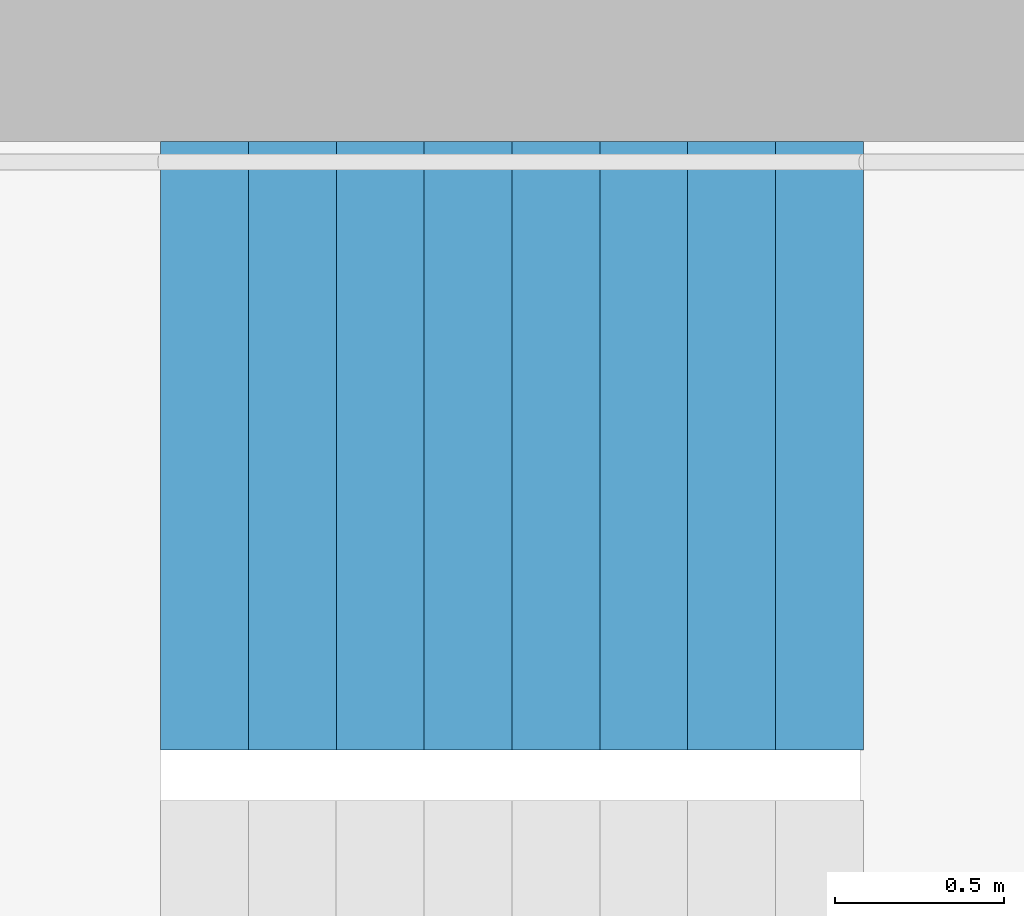
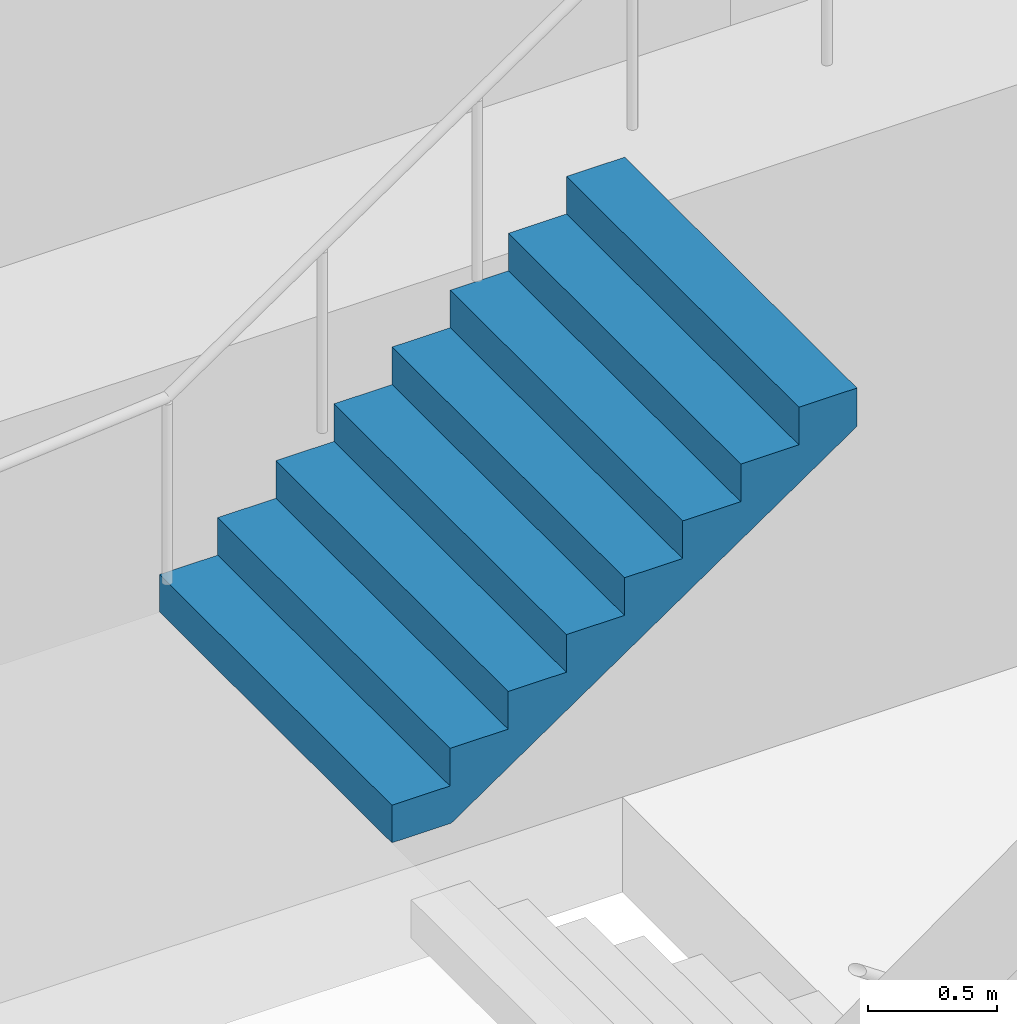
# One storey, part 24 of 29: 1 stair flight, 1 element without a shape of its own.
"""IFC4 building model written with IfcOpenShell, lengths in metres."""

from ifc_helpers import new_model, si_unit, direction, frame, origin, place, context, subcontext, project, spatial, triangles, material, type_object, element, aggregate, save


model = new_model("IFC4")

# Units and contexts
model_context = context("Model", 3, precision=1e-05, world=origin(), true_north=direction((0.0, 1.0)))
body_context = subcontext(model_context, "Body", "Model", "MODEL_VIEW")
ifc_project = project(units=[si_unit("LENGTHUNIT", "METRE"), si_unit("AREAUNIT", "SQUARE_METRE"), si_unit("VOLUMEUNIT", "CUBIC_METRE"), si_unit("PLANEANGLEUNIT", "RADIAN"), si_unit("MASSUNIT", "GRAM", prefix="KILO")], contexts=[model_context])

# Site, building, storey
site_placement = place(None, origin())
site = spatial("IfcSite", under=ifc_project, at=site_placement, CompositionType="ELEMENT")
building_placement = place(site_placement, origin())
building = spatial("IfcBuilding", under=site, at=building_placement, Name="Hakoniwa Tower and Hamabe Station Hall", CompositionType="ELEMENT")
storey_placement = place(building_placement, frame((0.0, 0.0, 258.199951171875)))
storey = spatial("IfcBuildingStorey", under=building, at=storey_placement, Name="L73", CompositionType="ELEMENT", Elevation=258.199951171875)

# Stair, stair flight
ifc_material_1 = material(Name="Concrete C40", Category="concrete")
stair_type = type_object("IfcStairType", Name="ESCAPE STAIR 1800", PredefinedType="HALF_TURN_STAIR", material=ifc_material_1)
stair_placement = place(storey_placement, origin())
stair = element("IfcStair", 1, at=stair_placement, inside=storey, type_object=stair_type, Name="Escape stair ST-3 L73", PredefinedType="HALF_TURN_STAIR")
ifc_material_2 = material(Name="Concrete C40", Category="concrete")
stair_flight_type = type_object("IfcStairFlightType", Name="STAIR FLIGHT 1800", PredefinedType="STRAIGHT", material=ifc_material_2)
stair_flight_placement = place(storey_placement, frame((22.320068359375, 6.60009765625, 1.60009765625), z_axis=(0.0, 0.0, 1.0), x_axis=(1.0, 0.0, 0.0)))
stair_flight = element("IfcStairFlight", 2, at=stair_flight_placement, type_object=stair_flight_type, Name="ST-3 flight 2", NumberOfRisers=9, NumberOfTreads=8, PredefinedType="STRAIGHT", RiserHeight=0.177777778, TreadLength=0.26, context=body_context, shape_type="Tessellation", body=[
    triangles([(0.0, 0.89990234375, 0.0), (0.260009765625, 0.89990234375, 0.0), (0.265625, 0.89990234375, 0.0), (0.52001953125, 0.89990234375, 0.174072265625), (0.780029296875, 0.89990234375, 0.351806640625), (1.0400390625, 0.89990234375, 0.529541015625), (1.300048828125, 0.89990234375, 0.707275390625), (1.56005859375, 0.89990234375, 0.885009765625), (1.820068359375, 0.89990234375, 1.062744140625), (2.080078125, 0.89990234375, 1.24072265625), (2.080078125, 0.89990234375, 1.422119140625), (1.820068359375, 0.89990234375, 1.422119140625), (1.820068359375, 0.89990234375, 1.244384765625), (1.56005859375, 0.89990234375, 1.244384765625), (1.56005859375, 0.89990234375, 1.066650390625), (1.300048828125, 0.89990234375, 1.066650390625), (1.300048828125, 0.89990234375, 0.888916015625), (1.0400390625, 0.89990234375, 0.888916015625), (1.0400390625, 0.89990234375, 0.711181640625), (0.780029296875, 0.89990234375, 0.711181640625), (0.780029296875, 0.89990234375, 0.533447265625), (0.52001953125, 0.89990234375, 0.533447265625), (0.52001953125, 0.89990234375, 0.35546875), (0.265625, 0.89990234375, 0.35546875), (0.260009765625, 0.89990234375, 0.35546875), (0.260009765625, 0.89990234375, 0.177734375), (0.0, 0.89990234375, 0.177734375), (0.0, 0.06005859375, 0.0), (0.260009765625, 0.06005859375, 0.0), (0.265625, 0.06005859375, 0.0), (0.52001953125, 0.06005859375, 0.174072265625), (0.780029296875, 0.06005859375, 0.351806640625), (1.0400390625, 0.06005859375, 0.529541015625), (1.300048828125, 0.06005859375, 0.707275390625), (1.56005859375, 0.06005859375, 0.885009765625), (1.820068359375, 0.06005859375, 1.062744140625), (2.080078125, 0.06005859375, 1.24072265625), (2.080078125, 0.06005859375, 1.422119140625), (1.820068359375, 0.06005859375, 1.422119140625), (1.820068359375, 0.06005859375, 1.244384765625), (1.56005859375, 0.06005859375, 1.244384765625), (1.56005859375, 0.06005859375, 1.066650390625), (1.300048828125, 0.06005859375, 1.066650390625), (1.300048828125, 0.06005859375, 0.888916015625), (1.0400390625, 0.06005859375, 0.888916015625), (1.0400390625, 0.06005859375, 0.711181640625), (0.780029296875, 0.06005859375, 0.711181640625), (0.780029296875, 0.06005859375, 0.533447265625), (0.52001953125, 0.06005859375, 0.533447265625), (0.52001953125, 0.06005859375, 0.35546875), (0.265625, 0.06005859375, 0.35546875), (0.260009765625, 0.06005859375, 0.35546875), (0.260009765625, 0.06005859375, 0.177734375), (0.0, 0.06005859375, 0.177734375), (0.0, 0.04296875, 0.0), (0.260009765625, 0.04296875, 0.0), (0.265625, 0.04296875, 0.0), (0.52001953125, 0.04296875, 0.174072265625), (0.780029296875, 0.04296875, 0.351806640625), (1.0400390625, 0.04296875, 0.529541015625), (1.300048828125, 0.04296875, 0.707275390625), (1.56005859375, 0.04296875, 0.885009765625), (1.820068359375, 0.04296875, 1.062744140625), (2.080078125, 0.04296875, 1.24072265625), (2.080078125, 0.04296875, 1.422119140625), (1.820068359375, 0.04296875, 1.422119140625), (1.820068359375, 0.04296875, 1.244384765625), (1.56005859375, 0.04296875, 1.244384765625), (1.56005859375, 0.04296875, 1.066650390625), (1.300048828125, 0.04296875, 1.066650390625), (1.300048828125, 0.04296875, 0.888916015625), (1.0400390625, 0.04296875, 0.888916015625), (1.0400390625, 0.04296875, 0.711181640625), (0.780029296875, 0.04296875, 0.711181640625), (0.780029296875, 0.04296875, 0.533447265625), (0.52001953125, 0.04296875, 0.533447265625), (0.52001953125, 0.04296875, 0.35546875), (0.265625, 0.04296875, 0.35546875), (0.260009765625, 0.04296875, 0.35546875), (0.260009765625, 0.04296875, 0.177734375), (0.0, 0.04296875, 0.177734375), (0.0, 0.025634765625, 0.0), (0.260009765625, 0.025634765625, 0.0), (0.265625, 0.025634765625, 0.0), (0.52001953125, 0.025634765625, 0.174072265625), (0.780029296875, 0.025634765625, 0.351806640625), (1.0400390625, 0.025634765625, 0.529541015625), (1.300048828125, 0.025634765625, 0.707275390625), (1.56005859375, 0.025634765625, 0.885009765625), (1.820068359375, 0.025634765625, 1.062744140625), (2.080078125, 0.025634765625, 1.24072265625), (2.080078125, 0.025634765625, 1.422119140625), (1.820068359375, 0.025634765625, 1.422119140625), (1.820068359375, 0.025634765625, 1.244384765625), (1.56005859375, 0.025634765625, 1.244384765625), (1.56005859375, 0.025634765625, 1.066650390625), (1.300048828125, 0.025634765625, 1.066650390625), (1.300048828125, 0.025634765625, 0.888916015625), (1.0400390625, 0.025634765625, 0.888916015625), (1.0400390625, 0.025634765625, 0.711181640625), (0.780029296875, 0.025634765625, 0.711181640625), (0.780029296875, 0.025634765625, 0.533447265625), (0.52001953125, 0.025634765625, 0.533447265625), (0.52001953125, 0.025634765625, 0.35546875), (0.265625, 0.025634765625, 0.35546875), (0.260009765625, 0.025634765625, 0.35546875), (0.260009765625, 0.025634765625, 0.177734375), (0.0, 0.025634765625, 0.177734375), (0.0, 0.008544921875, 0.0), (0.260009765625, 0.008544921875, 0.0), (0.265625, 0.008544921875, 0.0), (0.52001953125, 0.008544921875, 0.174072265625), (0.780029296875, 0.008544921875, 0.351806640625), (1.0400390625, 0.008544921875, 0.529541015625), (1.300048828125, 0.008544921875, 0.707275390625), (1.56005859375, 0.008544921875, 0.885009765625), (1.820068359375, 0.008544921875, 1.062744140625), (2.080078125, 0.008544921875, 1.24072265625), (2.080078125, 0.008544921875, 1.422119140625), (1.820068359375, 0.008544921875, 1.422119140625), (1.820068359375, 0.008544921875, 1.244384765625), (1.56005859375, 0.008544921875, 1.244384765625), (1.56005859375, 0.008544921875, 1.066650390625), (1.300048828125, 0.008544921875, 1.066650390625), (1.300048828125, 0.008544921875, 0.888916015625), (1.0400390625, 0.008544921875, 0.888916015625), (1.0400390625, 0.008544921875, 0.711181640625), (0.780029296875, 0.008544921875, 0.711181640625), (0.780029296875, 0.008544921875, 0.533447265625), (0.52001953125, 0.008544921875, 0.533447265625), (0.52001953125, 0.008544921875, 0.35546875), (0.265625, 0.008544921875, 0.35546875), (0.260009765625, 0.008544921875, 0.35546875), (0.260009765625, 0.008544921875, 0.177734375), (0.0, 0.008544921875, 0.177734375), (0.0, -0.008544921875, 0.0), (0.260009765625, -0.008544921875, 0.0), (0.265625, -0.008544921875, 0.0), (0.52001953125, -0.008544921875, 0.174072265625), (0.780029296875, -0.008544921875, 0.351806640625), (1.0400390625, -0.008544921875, 0.529541015625), (1.300048828125, -0.008544921875, 0.707275390625), (1.56005859375, -0.008544921875, 0.885009765625), (1.820068359375, -0.008544921875, 1.062744140625), (2.080078125, -0.008544921875, 1.24072265625), (2.080078125, -0.008544921875, 1.422119140625), (1.820068359375, -0.008544921875, 1.422119140625), (1.820068359375, -0.008544921875, 1.244384765625), (1.56005859375, -0.008544921875, 1.244384765625), (1.56005859375, -0.008544921875, 1.066650390625), (1.300048828125, -0.008544921875, 1.066650390625), (1.300048828125, -0.008544921875, 0.888916015625), (1.0400390625, -0.008544921875, 0.888916015625), (1.0400390625, -0.008544921875, 0.711181640625), (0.780029296875, -0.008544921875, 0.711181640625), (0.780029296875, -0.008544921875, 0.533447265625), (0.52001953125, -0.008544921875, 0.533447265625), (0.52001953125, -0.008544921875, 0.35546875), (0.265625, -0.008544921875, 0.35546875), (0.260009765625, -0.008544921875, 0.35546875), (0.260009765625, -0.008544921875, 0.177734375), (0.0, -0.008544921875, 0.177734375), (0.0, -0.025634765625, 0.0), (0.260009765625, -0.025634765625, 0.0), (0.265625, -0.025634765625, 0.0), (0.52001953125, -0.025634765625, 0.174072265625), (0.780029296875, -0.025634765625, 0.351806640625), (1.0400390625, -0.025634765625, 0.529541015625), (1.300048828125, -0.025634765625, 0.707275390625), (1.56005859375, -0.025634765625, 0.885009765625), (1.820068359375, -0.025634765625, 1.062744140625), (2.080078125, -0.025634765625, 1.24072265625), (2.080078125, -0.025634765625, 1.422119140625), (1.820068359375, -0.025634765625, 1.422119140625), (1.820068359375, -0.025634765625, 1.244384765625), (1.56005859375, -0.025634765625, 1.244384765625), (1.56005859375, -0.025634765625, 1.066650390625), (1.300048828125, -0.025634765625, 1.066650390625), (1.300048828125, -0.025634765625, 0.888916015625), (1.0400390625, -0.025634765625, 0.888916015625), (1.0400390625, -0.025634765625, 0.711181640625), (0.780029296875, -0.025634765625, 0.711181640625), (0.780029296875, -0.025634765625, 0.533447265625), (0.52001953125, -0.025634765625, 0.533447265625), (0.52001953125, -0.025634765625, 0.35546875), (0.265625, -0.025634765625, 0.35546875), (0.260009765625, -0.025634765625, 0.35546875), (0.260009765625, -0.025634765625, 0.177734375), (0.0, -0.025634765625, 0.177734375), (0.0, -0.04296875, 0.0), (0.260009765625, -0.04296875, 0.0), (0.265625, -0.04296875, 0.0), (0.52001953125, -0.04296875, 0.174072265625), (0.780029296875, -0.04296875, 0.351806640625), (1.0400390625, -0.04296875, 0.529541015625), (1.300048828125, -0.04296875, 0.707275390625), (1.56005859375, -0.04296875, 0.885009765625), (1.820068359375, -0.04296875, 1.062744140625), (2.080078125, -0.04296875, 1.24072265625), (2.080078125, -0.04296875, 1.422119140625), (1.820068359375, -0.04296875, 1.422119140625), (1.820068359375, -0.04296875, 1.244384765625), (1.56005859375, -0.04296875, 1.244384765625), (1.56005859375, -0.04296875, 1.066650390625), (1.300048828125, -0.04296875, 1.066650390625), (1.300048828125, -0.04296875, 0.888916015625), (1.0400390625, -0.04296875, 0.888916015625), (1.0400390625, -0.04296875, 0.711181640625), (0.780029296875, -0.04296875, 0.711181640625), (0.780029296875, -0.04296875, 0.533447265625), (0.52001953125, -0.04296875, 0.533447265625), (0.52001953125, -0.04296875, 0.35546875), (0.265625, -0.04296875, 0.35546875), (0.260009765625, -0.04296875, 0.35546875), (0.260009765625, -0.04296875, 0.177734375), (0.0, -0.04296875, 0.177734375), (0.0, -0.06005859375, 0.0), (0.260009765625, -0.06005859375, 0.0), (0.265625, -0.06005859375, 0.0), (0.52001953125, -0.06005859375, 0.174072265625), (0.780029296875, -0.06005859375, 0.351806640625), (1.0400390625, -0.06005859375, 0.529541015625), (1.300048828125, -0.06005859375, 0.707275390625), (1.56005859375, -0.06005859375, 0.885009765625), (1.820068359375, -0.06005859375, 1.062744140625), (2.080078125, -0.06005859375, 1.24072265625), (2.080078125, -0.06005859375, 1.422119140625), (1.820068359375, -0.06005859375, 1.422119140625), (1.820068359375, -0.06005859375, 1.244384765625), (1.56005859375, -0.06005859375, 1.244384765625), (1.56005859375, -0.06005859375, 1.066650390625), (1.300048828125, -0.06005859375, 1.066650390625), (1.300048828125, -0.06005859375, 0.888916015625), (1.0400390625, -0.06005859375, 0.888916015625), (1.0400390625, -0.06005859375, 0.711181640625), (0.780029296875, -0.06005859375, 0.711181640625), (0.780029296875, -0.06005859375, 0.533447265625), (0.52001953125, -0.06005859375, 0.533447265625), (0.52001953125, -0.06005859375, 0.35546875), (0.265625, -0.06005859375, 0.35546875), (0.260009765625, -0.06005859375, 0.35546875), (0.260009765625, -0.06005859375, 0.177734375), (0.0, -0.06005859375, 0.177734375), (0.0, -0.89990234375, 0.0), (0.260009765625, -0.89990234375, 0.0), (0.265625, -0.89990234375, 0.0), (0.52001953125, -0.89990234375, 0.174072265625), (0.780029296875, -0.89990234375, 0.351806640625), (1.0400390625, -0.89990234375, 0.529541015625), (1.300048828125, -0.89990234375, 0.707275390625), (1.56005859375, -0.89990234375, 0.885009765625), (1.820068359375, -0.89990234375, 1.062744140625), (2.080078125, -0.89990234375, 1.24072265625), (2.080078125, -0.89990234375, 1.422119140625), (1.820068359375, -0.89990234375, 1.422119140625), (1.820068359375, -0.89990234375, 1.244384765625), (1.56005859375, -0.89990234375, 1.244384765625), (1.56005859375, -0.89990234375, 1.066650390625), (1.300048828125, -0.89990234375, 1.066650390625), (1.300048828125, -0.89990234375, 0.888916015625), (1.0400390625, -0.89990234375, 0.888916015625), (1.0400390625, -0.89990234375, 0.711181640625), (0.780029296875, -0.89990234375, 0.711181640625), (0.780029296875, -0.89990234375, 0.533447265625), (0.52001953125, -0.89990234375, 0.533447265625), (0.52001953125, -0.89990234375, 0.35546875), (0.265625, -0.89990234375, 0.35546875), (0.260009765625, -0.89990234375, 0.35546875), (0.260009765625, -0.89990234375, 0.177734375), (0.0, -0.89990234375, 0.177734375)], [[2, 27, 26], [245, 269, 270], [2, 1, 27], [245, 270, 244], [3, 25, 24], [246, 267, 268], [3, 26, 25], [246, 268, 269], [3, 2, 26], [246, 269, 245], [4, 24, 23], [247, 266, 267], [4, 3, 24], [247, 267, 246], [5, 22, 21], [248, 264, 265], [5, 23, 22], [248, 265, 266], [5, 4, 23], [248, 266, 247], [6, 20, 19], [249, 262, 263], [6, 21, 20], [249, 263, 264], [6, 5, 21], [249, 264, 248], [7, 18, 17], [250, 260, 261], [7, 19, 18], [250, 261, 262], [7, 6, 19], [250, 262, 249], [8, 16, 15], [251, 258, 259], [8, 17, 16], [251, 259, 260], [8, 7, 17], [251, 260, 250], [9, 14, 13], [252, 256, 257], [9, 15, 14], [252, 257, 258], [9, 8, 15], [252, 258, 251], [10, 12, 11], [253, 254, 255], [10, 13, 12], [253, 255, 256], [10, 9, 13], [253, 256, 252], [1, 2, 29], [1, 29, 28], [28, 29, 56], [28, 56, 55], [55, 56, 83], [55, 83, 82], [82, 83, 110], [82, 110, 109], [109, 110, 137], [109, 137, 136], [136, 137, 164], [136, 164, 163], [163, 164, 191], [163, 191, 190], [190, 191, 218], [190, 218, 217], [217, 218, 245], [217, 245, 244], [2, 3, 30], [2, 30, 29], [29, 30, 57], [29, 57, 56], [56, 57, 84], [56, 84, 83], [83, 84, 111], [83, 111, 110], [110, 111, 138], [110, 138, 137], [137, 138, 165], [137, 165, 164], [164, 165, 192], [164, 192, 191], [191, 192, 219], [191, 219, 218], [218, 219, 246], [218, 246, 245], [3, 4, 31], [3, 31, 30], [30, 31, 58], [30, 58, 57], [57, 58, 85], [57, 85, 84], [84, 85, 112], [84, 112, 111], [111, 112, 139], [111, 139, 138], [138, 139, 166], [138, 166, 165], [165, 166, 193], [165, 193, 192], [192, 193, 220], [192, 220, 219], [219, 220, 247], [219, 247, 246], [4, 5, 32], [4, 32, 31], [31, 32, 59], [31, 59, 58], [58, 59, 86], [58, 86, 85], [85, 86, 113], [85, 113, 112], [112, 113, 140], [112, 140, 139], [139, 140, 167], [139, 167, 166], [166, 167, 194], [166, 194, 193], [193, 194, 221], [193, 221, 220], [220, 221, 248], [220, 248, 247], [5, 6, 33], [5, 33, 32], [32, 33, 60], [32, 60, 59], [59, 60, 87], [59, 87, 86], [86, 87, 114], [86, 114, 113], [113, 114, 141], [113, 141, 140], [140, 141, 168], [140, 168, 167], [167, 168, 195], [167, 195, 194], [194, 195, 222], [194, 222, 221], [221, 222, 249], [221, 249, 248], [6, 7, 34], [6, 34, 33], [33, 34, 61], [33, 61, 60], [60, 61, 88], [60, 88, 87], [87, 88, 115], [87, 115, 114], [114, 115, 142], [114, 142, 141], [141, 142, 169], [141, 169, 168], [168, 169, 196], [168, 196, 195], [195, 196, 223], [195, 223, 222], [222, 223, 250], [222, 250, 249], [7, 8, 35], [7, 35, 34], [34, 35, 62], [34, 62, 61], [61, 62, 89], [61, 89, 88], [88, 89, 116], [88, 116, 115], [115, 116, 143], [115, 143, 142], [142, 143, 170], [142, 170, 169], [169, 170, 197], [169, 197, 196], [196, 197, 224], [196, 224, 223], [223, 224, 251], [223, 251, 250], [8, 9, 36], [8, 36, 35], [35, 36, 63], [35, 63, 62], [62, 63, 90], [62, 90, 89], [89, 90, 117], [89, 117, 116], [116, 117, 144], [116, 144, 143], [143, 144, 171], [143, 171, 170], [170, 171, 198], [170, 198, 197], [197, 198, 225], [197, 225, 224], [224, 225, 252], [224, 252, 251], [9, 10, 37], [9, 37, 36], [36, 37, 64], [36, 64, 63], [63, 64, 91], [63, 91, 90], [90, 91, 118], [90, 118, 117], [117, 118, 145], [117, 145, 144], [144, 145, 172], [144, 172, 171], [171, 172, 199], [171, 199, 198], [198, 199, 226], [198, 226, 225], [225, 226, 253], [225, 253, 252], [10, 11, 38], [10, 38, 37], [37, 38, 65], [37, 65, 64], [64, 65, 92], [64, 92, 91], [91, 92, 119], [91, 119, 118], [118, 119, 146], [118, 146, 145], [145, 146, 173], [145, 173, 172], [172, 173, 200], [172, 200, 199], [199, 200, 227], [199, 227, 226], [226, 227, 254], [226, 254, 253], [11, 12, 39], [11, 39, 38], [38, 39, 66], [38, 66, 65], [65, 66, 93], [65, 93, 92], [92, 93, 120], [92, 120, 119], [119, 120, 147], [119, 147, 146], [146, 147, 174], [146, 174, 173], [173, 174, 201], [173, 201, 200], [200, 201, 228], [200, 228, 227], [227, 228, 255], [227, 255, 254], [12, 13, 40], [12, 40, 39], [39, 40, 67], [39, 67, 66], [66, 67, 94], [66, 94, 93], [93, 94, 121], [93, 121, 120], [120, 121, 148], [120, 148, 147], [147, 148, 175], [147, 175, 174], [174, 175, 202], [174, 202, 201], [201, 202, 229], [201, 229, 228], [228, 229, 256], [228, 256, 255], [13, 14, 41], [13, 41, 40], [40, 41, 68], [40, 68, 67], [67, 68, 95], [67, 95, 94], [94, 95, 122], [94, 122, 121], [121, 122, 149], [121, 149, 148], [148, 149, 176], [148, 176, 175], [175, 176, 203], [175, 203, 202], [202, 203, 230], [202, 230, 229], [229, 230, 257], [229, 257, 256], [14, 15, 42], [14, 42, 41], [41, 42, 69], [41, 69, 68], [68, 69, 96], [68, 96, 95], [95, 96, 123], [95, 123, 122], [122, 123, 150], [122, 150, 149], [149, 150, 177], [149, 177, 176], [176, 177, 204], [176, 204, 203], [203, 204, 231], [203, 231, 230], [230, 231, 258], [230, 258, 257], [15, 16, 43], [15, 43, 42], [42, 43, 70], [42, 70, 69], [69, 70, 97], [69, 97, 96], [96, 97, 124], [96, 124, 123], [123, 124, 151], [123, 151, 150], [150, 151, 178], [150, 178, 177], [177, 178, 205], [177, 205, 204], [204, 205, 232], [204, 232, 231], [231, 232, 259], [231, 259, 258], [16, 17, 44], [16, 44, 43], [43, 44, 71], [43, 71, 70], [70, 71, 98], [70, 98, 97], [97, 98, 125], [97, 125, 124], [124, 125, 152], [124, 152, 151], [151, 152, 179], [151, 179, 178], [178, 179, 206], [178, 206, 205], [205, 206, 233], [205, 233, 232], [232, 233, 260], [232, 260, 259], [17, 18, 45], [17, 45, 44], [44, 45, 72], [44, 72, 71], [71, 72, 99], [71, 99, 98], [98, 99, 126], [98, 126, 125], [125, 126, 153], [125, 153, 152], [152, 153, 180], [152, 180, 179], [179, 180, 207], [179, 207, 206], [206, 207, 234], [206, 234, 233], [233, 234, 261], [233, 261, 260], [18, 19, 46], [18, 46, 45], [45, 46, 73], [45, 73, 72], [72, 73, 100], [72, 100, 99], [99, 100, 127], [99, 127, 126], [126, 127, 154], [126, 154, 153], [153, 154, 181], [153, 181, 180], [180, 181, 208], [180, 208, 207], [207, 208, 235], [207, 235, 234], [234, 235, 262], [234, 262, 261], [19, 20, 47], [19, 47, 46], [46, 47, 74], [46, 74, 73], [73, 74, 101], [73, 101, 100], [100, 101, 128], [100, 128, 127], [127, 128, 155], [127, 155, 154], [154, 155, 182], [154, 182, 181], [181, 182, 209], [181, 209, 208], [208, 209, 236], [208, 236, 235], [235, 236, 263], [235, 263, 262], [20, 21, 48], [20, 48, 47], [47, 48, 75], [47, 75, 74], [74, 75, 102], [74, 102, 101], [101, 102, 129], [101, 129, 128], [128, 129, 156], [128, 156, 155], [155, 156, 183], [155, 183, 182], [182, 183, 210], [182, 210, 209], [209, 210, 237], [209, 237, 236], [236, 237, 264], [236, 264, 263], [21, 22, 49], [21, 49, 48], [48, 49, 76], [48, 76, 75], [75, 76, 103], [75, 103, 102], [102, 103, 130], [102, 130, 129], [129, 130, 157], [129, 157, 156], [156, 157, 184], [156, 184, 183], [183, 184, 211], [183, 211, 210], [210, 211, 238], [210, 238, 237], [237, 238, 265], [237, 265, 264], [22, 23, 50], [22, 50, 49], [49, 50, 77], [49, 77, 76], [76, 77, 104], [76, 104, 103], [103, 104, 131], [103, 131, 130], [130, 131, 158], [130, 158, 157], [157, 158, 185], [157, 185, 184], [184, 185, 212], [184, 212, 211], [211, 212, 239], [211, 239, 238], [238, 239, 266], [238, 266, 265], [23, 24, 51], [23, 51, 50], [50, 51, 78], [50, 78, 77], [77, 78, 105], [77, 105, 104], [104, 105, 132], [104, 132, 131], [131, 132, 159], [131, 159, 158], [158, 159, 186], [158, 186, 185], [185, 186, 213], [185, 213, 212], [212, 213, 240], [212, 240, 239], [239, 240, 267], [239, 267, 266], [24, 25, 52], [24, 52, 51], [51, 52, 79], [51, 79, 78], [78, 79, 106], [78, 106, 105], [105, 106, 133], [105, 133, 132], [132, 133, 160], [132, 160, 159], [159, 160, 187], [159, 187, 186], [186, 187, 214], [186, 214, 213], [213, 214, 241], [213, 241, 240], [240, 241, 268], [240, 268, 267], [25, 26, 53], [25, 53, 52], [52, 53, 80], [52, 80, 79], [79, 80, 107], [79, 107, 106], [106, 107, 134], [106, 134, 133], [133, 134, 161], [133, 161, 160], [160, 161, 188], [160, 188, 187], [187, 188, 215], [187, 215, 214], [214, 215, 242], [214, 242, 241], [241, 242, 269], [241, 269, 268], [26, 27, 54], [26, 54, 53], [53, 54, 81], [53, 81, 80], [80, 81, 108], [80, 108, 107], [107, 108, 135], [107, 135, 134], [134, 135, 162], [134, 162, 161], [161, 162, 189], [161, 189, 188], [188, 189, 216], [188, 216, 215], [215, 216, 243], [215, 243, 242], [242, 243, 270], [242, 270, 269], [27, 1, 28], [27, 28, 54], [54, 28, 55], [54, 55, 81], [81, 55, 82], [81, 82, 108], [108, 82, 109], [108, 109, 135], [135, 109, 136], [135, 136, 162], [162, 136, 163], [162, 163, 189], [189, 163, 190], [189, 190, 216], [216, 190, 217], [216, 217, 243], [243, 217, 244], [243, 244, 270]], closed=True),
])
aggregate(stair, [stair_flight])

save(model, "model.ifc")
